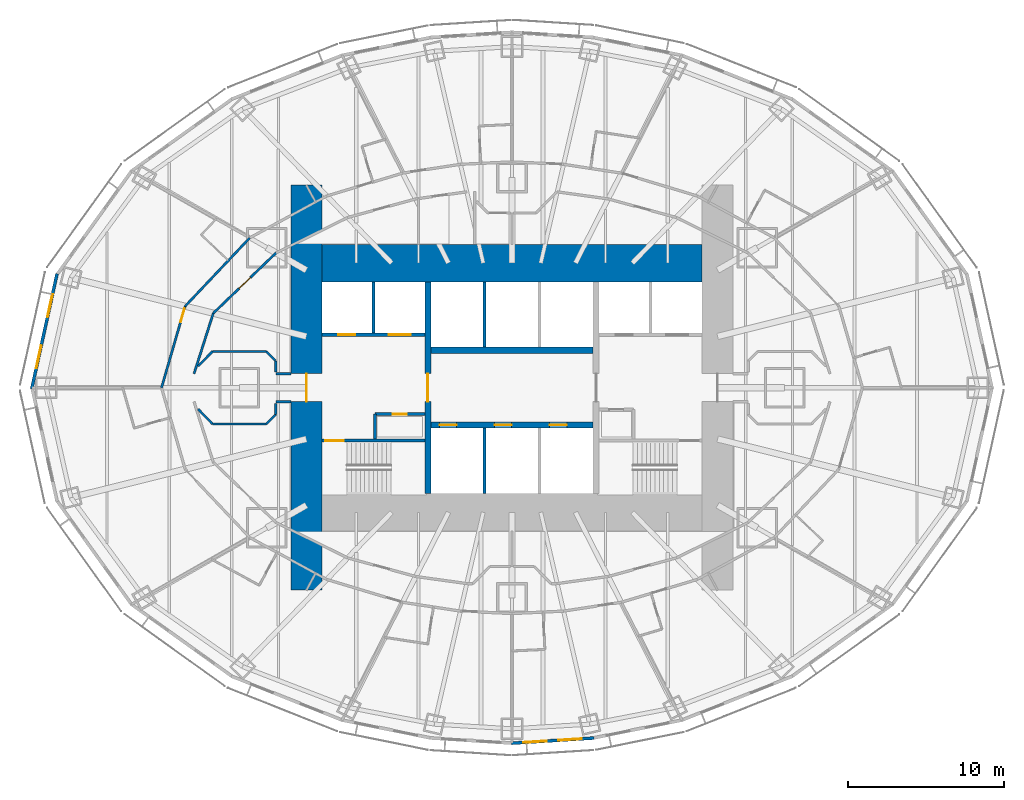
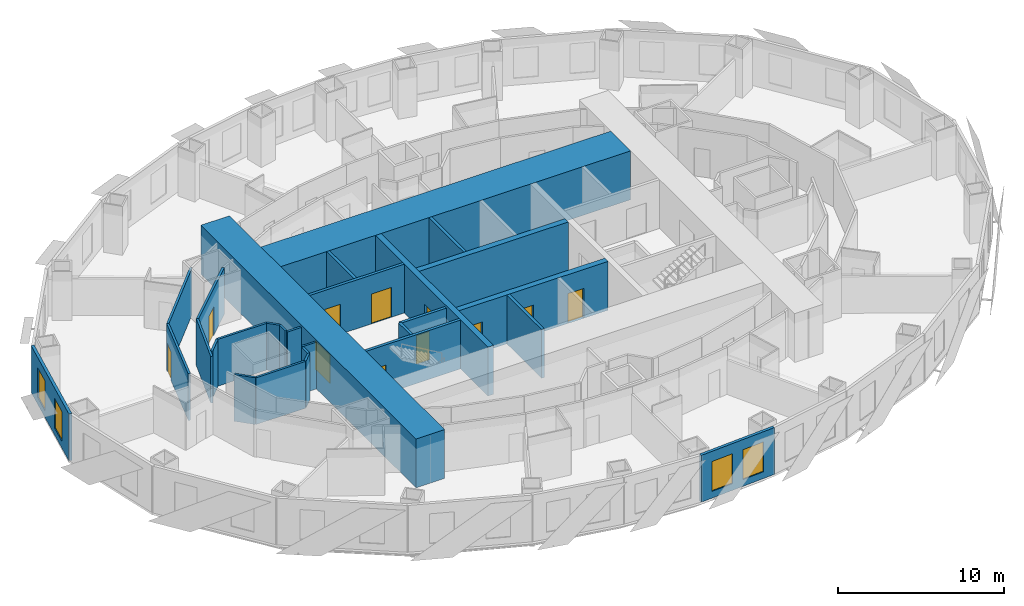
# One storey, part 6 of 15: 28 walls, 11 doors, 4 windows, 15 openings.
"""IFC4 building model written with IfcOpenShell, lengths in metres."""

from ifc_helpers import new_model, si_unit, direction, frame, frame_2d, origin, place, context, subcontext, project, spatial, rectangle, extrude, material, layer, layer_set, type_object, element, fill, save


model = new_model("IFC4")

# Units and contexts
model_context = context("Model", 3, precision=1e-05, world=origin(), true_north=direction((0.0, 1.0)))
body_context = subcontext(model_context, "Body", "Model", "MODEL_VIEW")
ifc_project = project(units=[si_unit("LENGTHUNIT", "METRE"), si_unit("AREAUNIT", "SQUARE_METRE"), si_unit("VOLUMEUNIT", "CUBIC_METRE"), si_unit("PLANEANGLEUNIT", "RADIAN"), si_unit("MASSUNIT", "GRAM", prefix="KILO")], contexts=[model_context])

# Site, building, storey
site_placement = place(None, origin())
site = spatial("IfcSite", under=ifc_project, at=site_placement, CompositionType="ELEMENT")
building_placement = place(site_placement, origin())
building = spatial("IfcBuilding", under=site, at=building_placement, Name="Lantaw Convention Tower", CompositionType="ELEMENT")
storey_placement = place(building_placement, frame((0.0, 0.0, 87.39990234375)))
storey = spatial("IfcBuildingStorey", under=building, at=storey_placement, Name="L20", CompositionType="ELEMENT", Elevation=87.39990234375)

# Wall, opening, door
ifc_material_1 = material(Name="Concrete C60/75", Category="concrete")
ifc_layer_1 = layer(ifc_material_1, 0.199951171875)
ifc_layer_set_1 = layer_set([ifc_layer_1], Name="Core wall 200")
wall_type_1 = type_object("IfcWallType", Name="Core wall 200", PredefinedType="SHEAR", material=ifc_layer_set_1)
wall_1_placement = place(storey_placement, frame((-5.60009765625, -3.39990234375, 0.0), z_axis=(0.0, 0.0, 1.0), x_axis=(-1.0, 0.0, 0.0)))
wall_1 = element("IfcWall", 1, at=wall_1_placement, inside=storey, type_object=wall_type_1, Name="Core wall WS", PredefinedType="SHEAR", context=body_context, shape_type="SweptSolid", body=[
    extrude(rectangle(XDim=6.599853515625, YDim=0.199951171875, at=frame_2d((3.2998046875, 0.0))), origin(), (0.0, 0.0, 1.0), 3.60009765625),
])
opening_1_placement = place(wall_1_placement, frame((5.199951171875, 0.0, 0.0)))
opening_1 = element("IfcOpeningElement", 2, at=opening_1_placement, cuts=wall_1, Name="Opening L20.06", PredefinedType="OPENING", context=body_context, shape_type="SweptSolid", body=[
    extrude(rectangle(XDim=1.199951171875, YDim=2.10009765625, at=frame_2d((0.60009765625, 1.050048828125))), frame((0.0, 0.10986328125, 0.0), z_axis=(0.0, -1.0, 0.0), x_axis=(1.0, 0.0, 0.0)), (0.0, 0.0, 1.0), 0.219970703125),
])
ifc_material_2 = material(Name="Steel, fire rated", Category="steel")
door_type_1 = type_object("IfcDoorType", Name="Stair door FD90", OperationType="SINGLE_SWING_RIGHT", PredefinedType="DOOR", material=ifc_material_2)
door_1_placement = place(opening_1_placement, origin())
door_1 = element("IfcDoor", 3, at=door_1_placement, inside=storey, type_object=door_type_1, Name="Exit stair door", OperationType="SINGLE_SWING_RIGHT", OverallHeight=2.10009765625, OverallWidth=1.199951171875, PredefinedType="DOOR", context=body_context, shape_type="SweptSolid", body=[
    extrude(rectangle(XDim=1.199951171875, YDim=2.10009765625, at=frame_2d((0.60009765625, 1.050048828125))), frame((0.0, 0.02490234375, 0.0), z_axis=(0.0, -1.0, 0.0), x_axis=(1.0, 0.0, 0.0)), (0.0, 0.0, 1.0), 0.050048828125),
])
fill(opening_1, door_1)

ifc_layer_2 = layer(ifc_material_1, 2.0)
ifc_layer_set_2 = layer_set([ifc_layer_2], Name="Core wall 2000")
wall_type_2 = type_object("IfcWallType", Name="Core wall 2000", PredefinedType="SHEAR", material=ifc_layer_set_2)
wall_2_placement = place(storey_placement, frame((-13.199951171875, 13.0, 0.0), z_axis=(0.0, 0.0, 1.0), x_axis=(0.0, -1.0, 0.0)))
wall_2 = element("IfcWall", 4, at=wall_2_placement, inside=storey, type_object=wall_type_2, Name="Core wall W", PredefinedType="SHEAR", context=body_context, shape_type="SweptSolid", body=[
    extrude(rectangle(XDim=26.0, YDim=2.0, at=frame_2d((13.0, 0.0))), origin(), (0.0, 0.0, 1.0), 3.60009765625),
])
opening_2_placement = place(wall_2_placement, frame((12.10009765625, 0.0, 0.0)))
opening_2 = element("IfcOpeningElement", 5, at=opening_2_placement, cuts=wall_2, Name="Opening L20.08", PredefinedType="OPENING", context=body_context, shape_type="SweptSolid", body=[
    extrude(rectangle(XDim=1.800048828125, YDim=2.10009765625, at=frame_2d((0.89990234375, 1.050048828125))), frame((0.0, 1.010009765625, 0.0), z_axis=(0.0, -1.0, 0.0), x_axis=(1.0, 0.0, 0.0)), (0.0, 0.0, 1.0), 2.02001953125),
])
door_type_2 = type_object("IfcDoorType", Name="Lobby double door FD90", OperationType="DOUBLE_DOOR_DOUBLE_SWING", PredefinedType="DOOR", material=ifc_material_2)
door_2_placement = place(opening_2_placement, origin())
door_2 = element("IfcDoor", 6, at=door_2_placement, inside=storey, type_object=door_type_2, Name="Firefighting lobby door", OperationType="DOUBLE_DOOR_DOUBLE_SWING", OverallHeight=2.10009765625, OverallWidth=1.800048828125, PredefinedType="DOOR", context=body_context, shape_type="SweptSolid", body=[
    extrude(rectangle(XDim=1.800048828125, YDim=2.10009765625, at=frame_2d((0.89990234375, 1.050048828125))), frame((0.0, 0.02490234375, 0.0), z_axis=(0.0, -1.0, 0.0), x_axis=(1.0, 0.0, 0.0)), (0.0, 0.0, 1.0), 0.050048828125),
])
fill(opening_2, door_2)

# Wall
ifc_layer_3 = layer(ifc_material_1, 2.39990234375)
ifc_layer_set_3 = layer_set([ifc_layer_3], Name="Core wall 2400")
wall_type_3 = type_object("IfcWallType", Name="Core wall 2400", PredefinedType="SHEAR", material=ifc_layer_set_3)
wall_3_placement = place(storey_placement, frame((12.199951171875, 8.0, 0.0), z_axis=(0.0, 0.0, 1.0), x_axis=(-1.0, 0.0, 0.0)))
element("IfcWall", 7, at=wall_3_placement, inside=storey, type_object=wall_type_3, Name="Core wall N", PredefinedType="SHEAR", context=body_context, shape_type="SweptSolid", body=[
    extrude(rectangle(XDim=24.39990234375, YDim=2.39990234375, at=frame_2d((12.199951171875, 0.0))), origin(), (0.0, 0.0, 1.0), 3.60009765625),
])

# Wall, opening, door
ifc_layer_4 = layer(ifc_material_1, 0.39990234375)
ifc_layer_set_4 = layer_set([ifc_layer_4], Name="Core wall 400")
wall_type_4 = type_object("IfcWallType", Name="Core wall 400", PredefinedType="SHEAR", material=ifc_layer_set_4)
wall_4_placement = place(storey_placement, frame((-5.39990234375, 6.800048828125, 0.0), z_axis=(0.0, 0.0, 1.0), x_axis=(0.0, -1.0, 0.0)))
wall_4 = element("IfcWall", 8, at=wall_4_placement, inside=storey, type_object=wall_type_4, Name="Core wall XW", PredefinedType="SHEAR", context=body_context, shape_type="SweptSolid", body=[
    extrude(rectangle(XDim=13.60009765625, YDim=0.39990234375, at=frame_2d((6.800048828125, 0.0))), origin(), (0.0, 0.0, 1.0), 3.60009765625),
])
opening_3_placement = place(wall_4_placement, frame((5.89990234375, 0.0, 0.0)))
opening_3 = element("IfcOpeningElement", 9, at=opening_3_placement, cuts=wall_4, Name="Opening L20.04", PredefinedType="OPENING", context=body_context, shape_type="SweptSolid", body=[
    extrude(rectangle(XDim=1.800048828125, YDim=2.10009765625, at=frame_2d((0.89990234375, 1.050048828125))), frame((0.0, 0.2099609375, 0.0), z_axis=(0.0, -1.0, 0.0), x_axis=(1.0, 0.0, 0.0)), (0.0, 0.0, 1.0), 0.419921875),
])
door_3_placement = place(opening_3_placement, origin())
door_3 = element("IfcDoor", 10, at=door_3_placement, inside=storey, type_object=door_type_2, Name="Lift lobby door", OperationType="DOUBLE_DOOR_DOUBLE_SWING", OverallHeight=2.10009765625, OverallWidth=1.800048828125, PredefinedType="DOOR", context=body_context, shape_type="SweptSolid", body=[
    extrude(rectangle(XDim=1.800048828125, YDim=2.10009765625, at=frame_2d((0.89990234375, 1.050048828125))), frame((0.0, 0.02490234375, 0.0), z_axis=(0.0, -1.0, 0.0), x_axis=(1.0, 0.0, 0.0)), (0.0, 0.0, 1.0), 0.050048828125),
])
fill(opening_3, door_3)

# Wall, openings, doors
wall_5_placement = place(storey_placement, frame((-5.199951171875, -2.39990234375, 0.0), z_axis=(0.0, 0.0, 1.0), x_axis=(1.0, 0.0, 0.0)))
wall_5 = element("IfcWall", 11, at=wall_5_placement, inside=storey, type_object=wall_type_4, Name="Core wall BS", PredefinedType="SHEAR", context=body_context, shape_type="SweptSolid", body=[
    extrude(rectangle(XDim=10.39990234375, YDim=0.39990234375, at=frame_2d((5.199951171875, 0.0))), origin(), (0.0, 0.0, 1.0), 3.60009765625),
])
opening_4_placement = place(wall_5_placement, frame((0.550048828125, 0.0, 0.0)))
opening_4 = element("IfcOpeningElement", 12, at=opening_4_placement, cuts=wall_5, Name="Opening L20.09", PredefinedType="OPENING", context=body_context, shape_type="SweptSolid", body=[
    extrude(rectangle(XDim=1.10009765625, YDim=2.199951171875, at=frame_2d((0.550048828125, 1.10009765625))), frame((0.0, 0.2099609375, 0.0), z_axis=(0.0, -1.0, 0.0), x_axis=(1.0, 0.0, 0.0)), (0.0, 0.0, 1.0), 0.419921875),
])
opening_5_placement = place(wall_5_placement, frame((4.083251953125, 0.0, 0.0)))
opening_5 = element("IfcOpeningElement", 13, at=opening_5_placement, cuts=wall_5, Name="Opening L20.10", PredefinedType="OPENING", context=body_context, shape_type="SweptSolid", body=[
    extrude(rectangle(XDim=1.10009765625, YDim=2.199951171875, at=frame_2d((0.550048828125, 1.10009765625))), frame((0.0, 0.2099609375, 0.0), z_axis=(0.0, -1.0, 0.0), x_axis=(1.0, 0.0, 0.0)), (0.0, 0.0, 1.0), 0.419921875),
])
opening_6_placement = place(wall_5_placement, frame((7.61669921875, 0.0, 0.0)))
opening_6 = element("IfcOpeningElement", 14, at=opening_6_placement, cuts=wall_5, Name="Opening L20.11", PredefinedType="OPENING", context=body_context, shape_type="SweptSolid", body=[
    extrude(rectangle(XDim=1.10009765625, YDim=2.199951171875, at=frame_2d((0.550048828125, 1.10009765625))), frame((0.0, 0.2099609375, 0.0), z_axis=(0.0, -1.0, 0.0), x_axis=(1.0, 0.0, 0.0)), (0.0, 0.0, 1.0), 0.419921875),
])
ifc_material_3 = material(Name="Stainless steel", Category="steel")
door_type_3 = type_object("IfcDoorType", Name="Lift landing door 1100", OperationType="DOUBLE_DOOR_SLIDING", PredefinedType="DOOR", material=ifc_material_3)
door_4_placement = place(opening_4_placement, origin())
door_4 = element("IfcDoor", 15, at=door_4_placement, inside=storey, type_object=door_type_3, Name="Lift landing door H1", OperationType="DOUBLE_DOOR_SLIDING", OverallHeight=2.199951171875, OverallWidth=1.10009765625, PredefinedType="DOOR", context=body_context, shape_type="SweptSolid", body=[
    extrude(rectangle(XDim=1.10009765625, YDim=2.199951171875, at=frame_2d((0.550048828125, 1.10009765625))), frame((0.0, 0.02490234375, 0.0), z_axis=(0.0, -1.0, 0.0), x_axis=(1.0, 0.0, 0.0)), (0.0, 0.0, 1.0), 0.050048828125),
])
fill(opening_4, door_4)
door_5_placement = place(opening_5_placement, origin())
door_5 = element("IfcDoor", 16, at=door_5_placement, inside=storey, type_object=door_type_3, Name="Lift landing door H2", OperationType="DOUBLE_DOOR_SLIDING", OverallHeight=2.199951171875, OverallWidth=1.10009765625, PredefinedType="DOOR", context=body_context, shape_type="SweptSolid", body=[
    extrude(rectangle(XDim=1.10009765625, YDim=2.199951171875, at=frame_2d((0.550048828125, 1.10009765625))), frame((0.0, 0.02490234375, 0.0), z_axis=(0.0, -1.0, 0.0), x_axis=(1.0, 0.0, 0.0)), (0.0, 0.0, 1.0), 0.050048828125),
])
fill(opening_5, door_5)
door_6_placement = place(opening_6_placement, origin())
door_6 = element("IfcDoor", 17, at=door_6_placement, inside=storey, type_object=door_type_3, Name="Lift landing door H3", OperationType="DOUBLE_DOOR_SLIDING", OverallHeight=2.199951171875, OverallWidth=1.10009765625, PredefinedType="DOOR", context=body_context, shape_type="SweptSolid", body=[
    extrude(rectangle(XDim=1.10009765625, YDim=2.199951171875, at=frame_2d((0.550048828125, 1.10009765625))), frame((0.0, 0.02490234375, 0.0), z_axis=(0.0, -1.0, 0.0), x_axis=(1.0, 0.0, 0.0)), (0.0, 0.0, 1.0), 0.050048828125),
])
fill(opening_6, door_6)

# Walls
wall_6_placement = place(storey_placement, frame((5.199951171875, 2.39990234375, 0.0), z_axis=(0.0, 0.0, 1.0), x_axis=(-1.0, 0.0, 0.0)))
element("IfcWall", 18, at=wall_6_placement, inside=storey, type_object=wall_type_4, Name="Core wall BN", PredefinedType="SHEAR", context=body_context, shape_type="SweptSolid", body=[
    extrude(rectangle(XDim=10.39990234375, YDim=0.39990234375, at=frame_2d((5.199951171875, 0.0))), origin(), (0.0, 0.0, 1.0), 3.60009765625),
])
ifc_material_4 = material(Name="Gypsum board on steel studs, fire rated", Category="steel")
ifc_layer_5 = layer(ifc_material_4, 0.14990234375)
ifc_layer_set_5 = layer_set([ifc_layer_5], Name="Corridor wall 150 EI 60")
wall_type_5 = type_object("IfcWallType", Name="Corridor wall 150 EI 60", PredefinedType="PARTITIONING", material=ifc_layer_set_5)
wall_7_placement = place(storey_placement, frame((-16.8349609375, 9.6201171875, 0.0), z_axis=(0.0, 0.0, 1.0), x_axis=(-0.687062608696, -0.726598218916, 0.0)))
element("IfcWall", 19, at=wall_7_placement, inside=storey, type_object=wall_type_5, Name="Corridor wall 150", PredefinedType="PARTITIONING", context=body_context, shape_type="SweptSolid", body=[
    extrude(rectangle(XDim=6.039306640625, YDim=0.14990234375, at=frame_2d((3.01953125, 0.0))), origin(), (0.0, 0.0, 1.0), 3.4501953125),
])

# Wall, opening, door
wall_8_placement = place(storey_placement, frame((-20.984375, 5.23193359375, 0.0), z_axis=(0.0, 0.0, 1.0), x_axis=(-0.278247435376, -0.960509429785, 0.0)))
wall_8 = element("IfcWall", 20, at=wall_8_placement, inside=storey, type_object=wall_type_5, Name="Corridor wall 150", PredefinedType="PARTITIONING", context=body_context, shape_type="SweptSolid", body=[
    extrude(rectangle(XDim=5.447021484375, YDim=0.14990234375, at=frame_2d((2.7236328125, 0.0))), origin(), (0.0, 0.0, 1.0), 3.4501953125),
])
opening_7_placement = place(wall_8_placement, frame((0.14990234375, 0.0, 0.0)))
opening_7 = element("IfcOpeningElement", 21, at=opening_7_placement, cuts=wall_8, Name="Opening L20.37", PredefinedType="OPENING", context=body_context, shape_type="SweptSolid", body=[
    extrude(rectangle(XDim=0.89990234375, YDim=2.10009765625, at=frame_2d((0.449951171875, 1.050048828125))), frame((0.0, 0.0849609375, 0.0), z_axis=(0.0, -1.0, 0.0), x_axis=(1.0, 0.0, 0.0)), (0.0, 0.0, 1.0), 0.169921875),
])
door_type_4 = type_object("IfcDoorType", Name="Guest room entrance door FD30S", OperationType="SINGLE_SWING_LEFT", PredefinedType="DOOR", material=ifc_material_2)
door_7_placement = place(opening_7_placement, origin())
door_7 = element("IfcDoor", 22, at=door_7_placement, inside=storey, type_object=door_type_4, Name="Junior suite entrance door", OperationType="SINGLE_SWING_LEFT", OverallHeight=2.10009765625, OverallWidth=0.89990234375, PredefinedType="DOOR", context=body_context, shape_type="SweptSolid", body=[
    extrude(rectangle(XDim=0.89990234375, YDim=2.10009765625, at=frame_2d((0.449951171875, 1.050048828125))), frame((0.0, 0.02490234375, 0.0), z_axis=(0.0, -1.0, 0.0), x_axis=(1.0, 0.0, 0.0)), (0.0, 0.0, 1.0), 0.050048828125),
])
fill(opening_7, door_7)

wall_9_placement = place(storey_placement, frame((-15.1474609375, 8.65576171875, 0.0), z_axis=(0.0, 0.0, 1.0), x_axis=(-0.720837261072, -0.693104352209, 0.0)))
wall_9 = element("IfcWall", 23, at=wall_9_placement, inside=storey, type_object=wall_type_5, Name="Corridor wall 150", PredefinedType="PARTITIONING", context=body_context, shape_type="SweptSolid", body=[
    extrude(rectangle(XDim=5.590087890625, YDim=0.14990234375, at=frame_2d((2.794921875, 0.0))), origin(), (0.0, 0.0, 1.0), 3.4501953125),
])
opening_8_placement = place(wall_9_placement, frame((2.294921875, 0.0, 0.0)))
opening_8 = element("IfcOpeningElement", 24, at=opening_8_placement, cuts=wall_9, Name="Opening L20.21", PredefinedType="OPENING", context=body_context, shape_type="SweptSolid", body=[
    extrude(rectangle(XDim=1.0, YDim=2.10009765625, at=frame_2d((0.5, 1.050048828125))), frame((0.0, 0.0849609375, 0.0), z_axis=(0.0, -1.0, 0.0), x_axis=(1.0, 0.0, 0.0)), (0.0, 0.0, 1.0), 0.169921875),
])
door_type_5 = type_object("IfcDoorType", Name="Service door 1000 FD30", OperationType="SINGLE_SWING_LEFT", PredefinedType="DOOR", material=ifc_material_2)
door_8_placement = place(opening_8_placement, origin())
door_8 = element("IfcDoor", 25, at=door_8_placement, inside=storey, type_object=door_type_5, Name="Housekeeping room door", OperationType="SINGLE_SWING_LEFT", OverallHeight=2.10009765625, OverallWidth=1.0, PredefinedType="DOOR", context=body_context, shape_type="SweptSolid", body=[
    extrude(rectangle(XDim=1.0, YDim=2.10009765625, at=frame_2d((0.5, 1.050048828125))), frame((0.0, 0.02490234375, 0.0), z_axis=(0.0, -1.0, 0.0), x_axis=(1.0, 0.0, 0.0)), (0.0, 0.0, 1.0), 0.050048828125),
])
fill(opening_8, door_8)

# Walls
wall_10_placement = place(storey_placement, frame((-19.177001953125, 4.78125, 0.0), z_axis=(0.0, 0.0, 1.0), x_axis=(-0.303505448228, -0.952829702988, 0.0)))
element("IfcWall", 26, at=wall_10_placement, inside=storey, type_object=wall_type_5, Name="Corridor wall 150", PredefinedType="PARTITIONING", context=body_context, shape_type="SweptSolid", body=[
    extrude(rectangle(XDim=4.073486328125, YDim=0.14990234375, at=frame_2d((2.03662109375, 0.0))), origin(), (0.0, 0.0, 1.0), 3.4501953125),
])
for number, where, z_axis, x_axis, name in (
    (27, (-14.199951171875, -0.89990234375, 0.0), (0.0, 0.0, 1.0), (-1.0, 0.0, 0.0), "Corridor wall 150"),
    (28, (-14.199951171875, 0.89990234375, 0.0), (0.0, 0.0, 1.0), (-1.0, 0.0, 0.0), "Corridor wall 150"),
):
    element("IfcWall", number, at=place(storey_placement, frame(where, z_axis=z_axis, x_axis=x_axis)), inside=storey, type_object=wall_type_5, Name=name, PredefinedType="PARTITIONING", context=body_context, shape_type="SweptSolid", body=[
        extrude(rectangle(XDim=0.965087890625, YDim=0.14990234375, at=frame_2d((0.482421875, 0.0))), origin(), (0.0, 0.0, 1.0), 3.4501953125),
    ])
wall_11_placement = place(storey_placement, frame((-20.149169921875, 1.383544921875, 0.0), z_axis=(0.0, 0.0, 1.0), x_axis=(0.700694560486, 0.713461374501, 0.0)))
element("IfcWall", 29, at=wall_11_placement, inside=storey, type_object=wall_type_5, Name="Corridor wall 150", PredefinedType="PARTITIONING", context=body_context, shape_type="SweptSolid", body=[
    extrude(rectangle(XDim=1.319580078125, YDim=0.14990234375, at=frame_2d((0.65966796875, 0.0))), origin(), (0.0, 0.0, 1.0), 3.4501953125),
])
wall_12_placement = place(storey_placement, frame((-19.224609375, 2.324951171875, 0.0), z_axis=(0.0, 0.0, 1.0), x_axis=(1.0, 0.0, 0.0)))
element("IfcWall", 30, at=wall_12_placement, inside=storey, type_object=wall_type_5, Name="Corridor wall 150", PredefinedType="PARTITIONING", context=body_context, shape_type="SweptSolid", body=[
    extrude(rectangle(XDim=3.44921875, YDim=0.14990234375, at=frame_2d((1.724609375, 0.0))), origin(), (0.0, 0.0, 1.0), 3.4501953125),
])
wall_13_placement = place(storey_placement, frame((-15.775390625, 2.324951171875, 0.0), z_axis=(0.0, 0.0, 1.0), x_axis=(0.707106781187, -0.707106781187, 0.0)))
element("IfcWall", 31, at=wall_13_placement, inside=storey, type_object=wall_type_5, Name="Corridor wall 150", PredefinedType="PARTITIONING", context=body_context, shape_type="SweptSolid", body=[
    extrude(rectangle(XDim=0.84912109375, YDim=0.14990234375, at=frame_2d((0.424560546875, 0.0))), origin(), (0.0, 0.0, 1.0), 3.4501953125),
])
for number, where, z_axis, x_axis, name in (
    (32, (-15.175048828125, 1.724609375, 0.0), (0.0, 0.0, 1.0), (0.0, -1.0, 0.0), "Corridor wall 150"),
    (33, (-15.175048828125, -1.003173828125, 0.0), (0.0, 0.0, 1.0), (0.0, -1.0, 0.0), "Corridor wall 150"),
):
    element("IfcWall", number, at=place(storey_placement, frame(where, z_axis=z_axis, x_axis=x_axis)), inside=storey, type_object=wall_type_5, Name=name, PredefinedType="PARTITIONING", context=body_context, shape_type="SweptSolid", body=[
        extrude(rectangle(XDim=0.721435546875, YDim=0.14990234375, at=frame_2d((0.36083984375, 0.0))), origin(), (0.0, 0.0, 1.0), 3.4501953125),
    ])
wall_14_placement = place(storey_placement, frame((-15.175048828125, -1.724609375, 0.0), z_axis=(0.0, 0.0, 1.0), x_axis=(-0.707106781187, -0.707106781187, 0.0)))
element("IfcWall", 34, at=wall_14_placement, inside=storey, type_object=wall_type_5, Name="Corridor wall 150", PredefinedType="PARTITIONING", context=body_context, shape_type="SweptSolid", body=[
    extrude(rectangle(XDim=0.84912109375, YDim=0.14990234375, at=frame_2d((0.424560546875, 0.0))), origin(), (0.0, 0.0, 1.0), 3.4501953125),
])
wall_15_placement = place(storey_placement, frame((-15.775390625, -2.324951171875, 0.0), z_axis=(0.0, 0.0, 1.0), x_axis=(-1.0, 0.0, 0.0)))
element("IfcWall", 35, at=wall_15_placement, inside=storey, type_object=wall_type_5, Name="Corridor wall 150", PredefinedType="PARTITIONING", context=body_context, shape_type="SweptSolid", body=[
    extrude(rectangle(XDim=3.44921875, YDim=0.14990234375, at=frame_2d((1.724609375, 0.0))), origin(), (0.0, 0.0, 1.0), 3.4501953125),
])
wall_16_placement = place(storey_placement, frame((-19.224609375, -2.324951171875, 0.0), z_axis=(0.0, 0.0, 1.0), x_axis=(-0.700694560486, 0.713461374501, 0.0)))
element("IfcWall", 36, at=wall_16_placement, inside=storey, type_object=wall_type_5, Name="Corridor wall 150", PredefinedType="PARTITIONING", context=body_context, shape_type="SweptSolid", body=[
    extrude(rectangle(XDim=1.319580078125, YDim=0.14990234375, at=frame_2d((0.65966796875, 0.0))), origin(), (0.0, 0.0, 1.0), 3.4501953125),
])

# Wall, openings, windows
ifc_material_5 = material(Name="Insulated aluminium panel on steel frame", Category="steel")
ifc_layer_6 = layer(ifc_material_5, 0.199951171875)
ifc_layer_set_6 = layer_set([ifc_layer_6], Name="External wall 200")
wall_type_6 = type_object("IfcWallType", Name="External wall 200", PredefinedType="SOLIDWALL", material=ifc_layer_set_6)
wall_17_placement = place(storey_placement, frame((-29.207763671875, 7.318115234375, 0.0), z_axis=(0.0, 0.0, 1.0), x_axis=(-0.215238065514, -0.976561608478, 0.0)))
wall_17 = element("IfcWall", 37, at=wall_17_placement, inside=storey, type_object=wall_type_6, Name="Facade panel wall", PredefinedType="SOLIDWALL", context=body_context, shape_type="SweptSolid", body=[
    extrude(rectangle(XDim=7.562255859375, YDim=0.199951171875, at=frame_2d((3.78125, 0.0))), origin(), (0.0, 0.0, 1.0), 3.4501953125),
])
opening_9_placement = place(wall_17_placement, frame((1.340576171875, 0.0, 0.5)))
opening_9 = element("IfcOpeningElement", 38, at=opening_9_placement, cuts=wall_17, Name="Opening W2", PredefinedType="OPENING", context=body_context, shape_type="SweptSolid", body=[
    extrude(rectangle(XDim=1.5, YDim=2.199951171875, at=frame_2d((0.75, 1.10009765625))), frame((0.0, 0.10986328125, 0.0), z_axis=(0.0, -1.0, 0.0), x_axis=(1.0, 0.0, 0.0)), (0.0, 0.0, 1.0), 0.219970703125),
])
opening_10_placement = place(wall_17_placement, frame((4.7216796875, 0.0, 0.5)))
opening_10 = element("IfcOpeningElement", 39, at=opening_10_placement, cuts=wall_17, Name="Opening W2", PredefinedType="OPENING", context=body_context, shape_type="SweptSolid", body=[
    extrude(rectangle(XDim=1.5, YDim=2.199951171875, at=frame_2d((0.75, 1.10009765625))), frame((0.0, 0.10986328125, 0.0), z_axis=(0.0, -1.0, 0.0), x_axis=(1.0, 0.0, 0.0)), (0.0, 0.0, 1.0), 0.219970703125),
])
ifc_material_6 = material(Name="Aluminium frame, clear insulating glass", Category="aluminium")
window_type = type_object("IfcWindowType", Name="Suite window 1500x2200", PartitioningType="SINGLE_PANEL", PredefinedType="WINDOW", material=ifc_material_6)
window_1_placement = place(opening_9_placement, origin())
window_1 = element("IfcWindow", 40, at=window_1_placement, inside=storey, type_object=window_type, Name="Guest room window", OverallHeight=2.199951171875, OverallWidth=1.5, PartitioningType="SINGLE_PANEL", PredefinedType="WINDOW", context=body_context, shape_type="SweptSolid", body=[
    extrude(rectangle(XDim=1.5, YDim=2.199951171875, at=frame_2d((0.75, 1.10009765625))), frame((0.0, 0.030029296875, 0.0), z_axis=(0.0, -1.0, 0.0), x_axis=(1.0, 0.0, 0.0)), (0.0, 0.0, 1.0), 0.06005859375),
])
fill(opening_9, window_1)
window_2_placement = place(opening_10_placement, origin())
window_2 = element("IfcWindow", 41, at=window_2_placement, inside=storey, type_object=window_type, Name="Guest room window", OverallHeight=2.199951171875, OverallWidth=1.5, PartitioningType="SINGLE_PANEL", PredefinedType="WINDOW", context=body_context, shape_type="SweptSolid", body=[
    extrude(rectangle(XDim=1.5, YDim=2.199951171875, at=frame_2d((0.75, 1.10009765625))), frame((0.0, 0.030029296875, 0.0), z_axis=(0.0, -1.0, 0.0), x_axis=(1.0, 0.0, 0.0)), (0.0, 0.0, 1.0), 0.06005859375),
])
fill(opening_10, window_2)

wall_18_placement = place(storey_placement, frame((-0.041015625, -22.8271484375, 0.0), z_axis=(0.0, 0.0, 1.0), x_axis=(0.998018582375, 0.062919863585, 0.0)))
wall_18 = element("IfcWall", 42, at=wall_18_placement, inside=storey, type_object=wall_type_6, Name="Facade panel wall", PredefinedType="SOLIDWALL", context=body_context, shape_type="SweptSolid", body=[
    extrude(rectangle(XDim=5.30419921875, YDim=0.199951171875, at=frame_2d((2.652099609375, 0.0))), origin(), (0.0, 0.0, 1.0), 3.4501953125),
])
opening_11_placement = place(wall_18_placement, frame((0.77587890625, 0.0, 0.5)))
opening_11 = element("IfcOpeningElement", 43, at=opening_11_placement, cuts=wall_18, Name="Opening W2", PredefinedType="OPENING", context=body_context, shape_type="SweptSolid", body=[
    extrude(rectangle(XDim=1.5, YDim=2.199951171875, at=frame_2d((0.75, 1.10009765625))), frame((0.0, 0.10986328125, 0.0), z_axis=(0.0, -1.0, 0.0), x_axis=(1.0, 0.0, 0.0)), (0.0, 0.0, 1.0), 0.219970703125),
])
opening_12_placement = place(wall_18_placement, frame((3.028076171875, 0.0, 0.5)))
opening_12 = element("IfcOpeningElement", 44, at=opening_12_placement, cuts=wall_18, Name="Opening W2", PredefinedType="OPENING", context=body_context, shape_type="SweptSolid", body=[
    extrude(rectangle(XDim=1.5, YDim=2.199951171875, at=frame_2d((0.75, 1.10009765625))), frame((0.0, 0.10986328125, 0.0), z_axis=(0.0, -1.0, 0.0), x_axis=(1.0, 0.0, 0.0)), (0.0, 0.0, 1.0), 0.219970703125),
])
window_3_placement = place(opening_11_placement, origin())
window_3 = element("IfcWindow", 45, at=window_3_placement, inside=storey, type_object=window_type, Name="Guest room window", OverallHeight=2.199951171875, OverallWidth=1.5, PartitioningType="SINGLE_PANEL", PredefinedType="WINDOW", context=body_context, shape_type="SweptSolid", body=[
    extrude(rectangle(XDim=1.5, YDim=2.199951171875, at=frame_2d((0.75, 1.10009765625))), frame((0.0, 0.030029296875, 0.0), z_axis=(0.0, -1.0, 0.0), x_axis=(1.0, 0.0, 0.0)), (0.0, 0.0, 1.0), 0.06005859375),
])
fill(opening_11, window_3)
window_4_placement = place(opening_12_placement, origin())
window_4 = element("IfcWindow", 46, at=window_4_placement, inside=storey, type_object=window_type, Name="Guest room window", OverallHeight=2.199951171875, OverallWidth=1.5, PartitioningType="SINGLE_PANEL", PredefinedType="WINDOW", context=body_context, shape_type="SweptSolid", body=[
    extrude(rectangle(XDim=1.5, YDim=2.199951171875, at=frame_2d((0.75, 1.10009765625))), frame((0.0, 0.030029296875, 0.0), z_axis=(0.0, -1.0, 0.0), x_axis=(1.0, 0.0, 0.0)), (0.0, 0.0, 1.0), 0.06005859375),
])
fill(opening_12, window_4)

# Wall, opening, door
ifc_material_7 = material(Name="Concrete blockwork, fire rated", Category="masonry")
ifc_layer_7 = layer(ifc_material_7, 0.199951171875)
ifc_layer_set_7 = layer_set([ifc_layer_7], Name="Plant room wall 200 EI 120")
wall_type_7 = type_object("IfcWallType", Name="Plant room wall 200 EI 120", PredefinedType="SOLIDWALL", material=ifc_layer_set_7)
wall_19_placement = place(storey_placement, frame((-5.60009765625, -1.699951171875, 0.0), z_axis=(0.0, 0.0, 1.0), x_axis=(-1.0, 0.0, 0.0)))
wall_19 = element("IfcWall", 47, at=wall_19_placement, inside=storey, type_object=wall_type_7, Name="Plant room wall 200", PredefinedType="SOLIDWALL", context=body_context, shape_type="SweptSolid", body=[
    extrude(rectangle(XDim=3.199951171875, YDim=0.199951171875, at=frame_2d((1.60009765625, 0.0))), origin(), (0.0, 0.0, 1.0), 3.4501953125),
])
opening_13_placement = place(wall_19_placement, frame((1.14990234375, 0.0, 0.0)))
opening_13 = element("IfcOpeningElement", 48, at=opening_13_placement, cuts=wall_19, Name="Opening L20.01", PredefinedType="OPENING", context=body_context, shape_type="SweptSolid", body=[
    extrude(rectangle(XDim=0.89990234375, YDim=2.10009765625, at=frame_2d((0.449951171875, 1.050048828125))), frame((0.0, 0.10986328125, 0.0), z_axis=(0.0, -1.0, 0.0), x_axis=(1.0, 0.0, 0.0)), (0.0, 0.0, 1.0), 0.219970703125),
])
door_type_6 = type_object("IfcDoorType", Name="Service door 900 FD60", OperationType="SINGLE_SWING_LEFT", PredefinedType="DOOR", material=ifc_material_2)
door_9_placement = place(opening_13_placement, origin())
door_9 = element("IfcDoor", 49, at=door_9_placement, inside=storey, type_object=door_type_6, Name="IT and comms room door", OperationType="SINGLE_SWING_LEFT", OverallHeight=2.10009765625, OverallWidth=0.89990234375, PredefinedType="DOOR", context=body_context, shape_type="SweptSolid", body=[
    extrude(rectangle(XDim=0.89990234375, YDim=2.10009765625, at=frame_2d((0.449951171875, 1.050048828125))), frame((0.0, 0.02490234375, 0.0), z_axis=(0.0, -1.0, 0.0), x_axis=(1.0, 0.0, 0.0)), (0.0, 0.0, 1.0), 0.050048828125),
])
fill(opening_13, door_9)

# Walls
wall_20_placement = place(storey_placement, frame((-8.800048828125, -1.699951171875, 0.0), z_axis=(0.0, 0.0, 1.0), x_axis=(0.0, -1.0, 0.0)))
element("IfcWall", 50, at=wall_20_placement, inside=storey, type_object=wall_type_7, Name="Plant room wall 200", PredefinedType="SOLIDWALL", context=body_context, shape_type="SweptSolid", body=[
    extrude(rectangle(XDim=1.60009765625, YDim=0.199951171875, at=frame_2d((0.800048828125, 0.0))), origin(), (0.0, 0.0, 1.0), 3.4501953125),
])
ifc_layer_8 = layer(ifc_material_7, 0.199951171875)
ifc_layer_set_8 = layer_set([ifc_layer_8], Name="Shaft wall 200")
wall_type_8 = type_object("IfcWallType", Name="Shaft wall 200", PredefinedType="SOLIDWALL", material=ifc_layer_set_8)
wall_21_placement = place(storey_placement, frame((-1.7666015625, 2.60009765625, 0.0), z_axis=(0.0, 0.0, 1.0), x_axis=(0.0, 1.0, 0.0)))
element("IfcWall", 51, at=wall_21_placement, inside=storey, type_object=wall_type_8, Name="Shaft wall DN1", PredefinedType="SOLIDWALL", context=body_context, shape_type="SweptSolid", body=[
    extrude(rectangle(XDim=4.199951171875, YDim=0.199951171875, at=frame_2d((2.10009765625, 0.0))), origin(), (0.0, 0.0, 1.0), 3.60009765625),
])

# Wall, openings, doors
wall_22_placement = place(storey_placement, frame((-12.199951171875, 3.39990234375, 0.0), z_axis=(0.0, 0.0, 1.0), x_axis=(1.0, 0.0, 0.0)))
wall_22 = element("IfcWall", 52, at=wall_22_placement, inside=storey, type_object=wall_type_8, Name="Shaft wall WN", PredefinedType="SOLIDWALL", context=body_context, shape_type="SweptSolid", body=[
    extrude(rectangle(XDim=6.599853515625, YDim=0.199951171875, at=frame_2d((3.2998046875, 0.0))), origin(), (0.0, 0.0, 1.0), 3.60009765625),
])
opening_14_placement = place(wall_22_placement, frame((1.050048828125, 0.0, 0.0)))
opening_14 = element("IfcOpeningElement", 53, at=opening_14_placement, cuts=wall_22, Name="Opening L20.12", PredefinedType="OPENING", context=body_context, shape_type="SweptSolid", body=[
    extrude(rectangle(XDim=1.10009765625, YDim=2.199951171875, at=frame_2d((0.550048828125, 1.10009765625))), frame((0.0, 0.10986328125, 0.0), z_axis=(0.0, -1.0, 0.0), x_axis=(1.0, 0.0, 0.0)), (0.0, 0.0, 1.0), 0.219970703125),
])
opening_15_placement = place(wall_22_placement, frame((4.300048828125, 0.0, 0.0)))
opening_15 = element("IfcOpeningElement", 54, at=opening_15_placement, cuts=wall_22, Name="Opening L20.13", PredefinedType="OPENING", context=body_context, shape_type="SweptSolid", body=[
    extrude(rectangle(XDim=1.39990234375, YDim=2.199951171875, at=frame_2d((0.699951171875, 1.10009765625))), frame((0.0, 0.10986328125, 0.0), z_axis=(0.0, -1.0, 0.0), x_axis=(1.0, 0.0, 0.0)), (0.0, 0.0, 1.0), 0.219970703125),
])
door_10_placement = place(opening_14_placement, origin())
door_10 = element("IfcDoor", 55, at=door_10_placement, inside=storey, type_object=door_type_3, Name="Lift landing door FF1", OperationType="DOUBLE_DOOR_SLIDING", OverallHeight=2.199951171875, OverallWidth=1.10009765625, PredefinedType="DOOR", context=body_context, shape_type="SweptSolid", body=[
    extrude(rectangle(XDim=1.10009765625, YDim=2.199951171875, at=frame_2d((0.550048828125, 1.10009765625))), frame((0.0, 0.02490234375, 0.0), z_axis=(0.0, -1.0, 0.0), x_axis=(1.0, 0.0, 0.0)), (0.0, 0.0, 1.0), 0.050048828125),
])
fill(opening_14, door_10)
door_type_7 = type_object("IfcDoorType", Name="Lift landing door 1400", OperationType="DOUBLE_DOOR_SLIDING", PredefinedType="DOOR", material=ifc_material_3)
door_11_placement = place(opening_15_placement, origin())
door_11 = element("IfcDoor", 56, at=door_11_placement, inside=storey, type_object=door_type_7, Name="Lift landing door SV1", OperationType="DOUBLE_DOOR_SLIDING", OverallHeight=2.199951171875, OverallWidth=1.39990234375, PredefinedType="DOOR", context=body_context, shape_type="SweptSolid", body=[
    extrude(rectangle(XDim=1.39990234375, YDim=2.199951171875, at=frame_2d((0.699951171875, 1.10009765625))), frame((0.0, 0.02490234375, 0.0), z_axis=(0.0, -1.0, 0.0), x_axis=(1.0, 0.0, 0.0)), (0.0, 0.0, 1.0), 0.050048828125),
])
fill(opening_15, door_11)

# Walls
wall_23_placement = place(storey_placement, frame((-8.89990234375, 3.5, 0.0), z_axis=(0.0, 0.0, 1.0), x_axis=(0.0, 1.0, 0.0)))
element("IfcWall", 57, at=wall_23_placement, inside=storey, type_object=wall_type_8, Name="Shaft wall WD", PredefinedType="SOLIDWALL", context=body_context, shape_type="SweptSolid", body=[
    extrude(rectangle(XDim=3.300048828125, YDim=0.199951171875, at=frame_2d((1.64990234375, 0.0))), origin(), (0.0, 0.0, 1.0), 3.60009765625),
])
ifc_layer_9 = layer(ifc_material_7, 0.199951171875)
ifc_layer_set_9 = layer_set([ifc_layer_9], Name="Shaft wall 200 load-bearing")
wall_type_9 = type_object("IfcWallType", Name="Shaft wall 200 load-bearing", PredefinedType="SOLIDWALL", material=ifc_layer_set_9)
wall_24_placement = place(storey_placement, frame((-1.7666015625, -2.60009765625, 0.0), z_axis=(0.0, 0.0, 1.0), x_axis=(0.0, -1.0, 0.0)))
element("IfcWall", 58, at=wall_24_placement, inside=storey, type_object=wall_type_9, Name="Shaft wall DS1", PredefinedType="SOLIDWALL", context=body_context, shape_type="SweptSolid", body=[
    extrude(rectangle(XDim=4.199951171875, YDim=0.199951171875, at=frame_2d((2.10009765625, 0.0))), origin(), (0.0, 0.0, 1.0), 3.60009765625),
])

save(model, "model.ifc")
